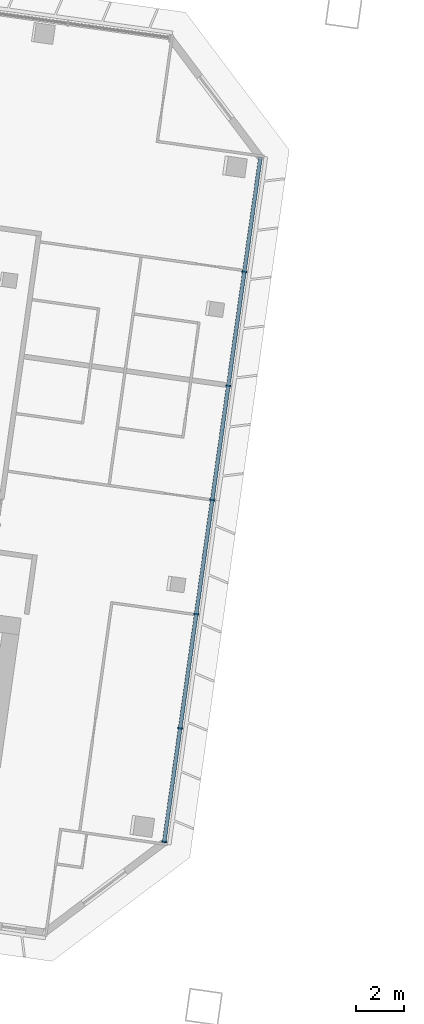
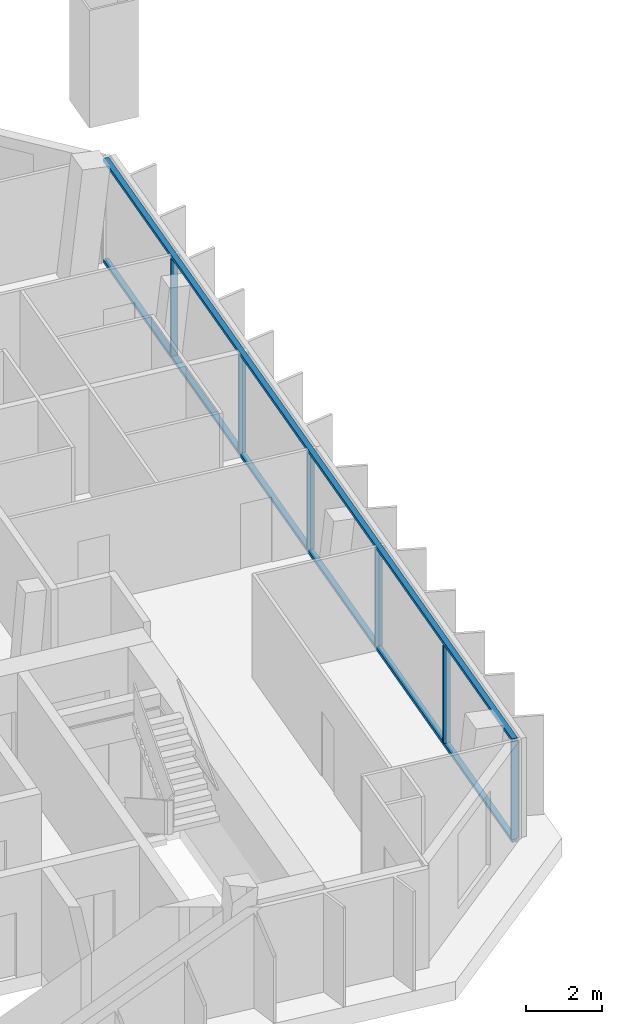
# One storey, part 3 of 23: 8 members, 1 element without a shape of its own.
"""IFC4 building model written with IfcOpenShell, lengths in metres."""

from ifc_helpers import new_model, si_unit, direction, frame, origin, origin_2d, place, context, subcontext, project, spatial, rectangle, extrude, material, material_profile, profile_set, type_object, element, aggregate, save


model = new_model("IFC4")

# Units and contexts
model_context = context("Model", 3, precision=1e-05, world=origin(), true_north=direction((0.0, 1.0)))
body_context = subcontext(model_context, "Body", "Model", "MODEL_VIEW")
ifc_project = project(units=[si_unit("LENGTHUNIT", "METRE"), si_unit("AREAUNIT", "SQUARE_METRE"), si_unit("VOLUMEUNIT", "CUBIC_METRE"), si_unit("PLANEANGLEUNIT", "RADIAN"), si_unit("MASSUNIT", "GRAM", prefix="KILO")], contexts=[model_context])

# Site, building, storey
site_placement = place(None, origin())
site = spatial("IfcSite", under=ifc_project, at=site_placement, CompositionType="ELEMENT")
building_placement = place(site_placement, origin())
building = spatial("IfcBuilding", under=site, at=building_placement, Name="Mirante Cascada Hotel Towers", CompositionType="ELEMENT")
storey_placement = place(building_placement, frame((0.0, 0.0, 199.2)))
storey = spatial("IfcBuildingStorey", under=building, at=storey_placement, Name="L47", CompositionType="ELEMENT", Elevation=199.2)

# Curtain wall, members
ifc_material_1 = material(Name="Aluminium mullion and transom frame with clear laminated glass", Category="aluminium")
curtain_wall_type = type_object("IfcCurtainWallType", Name="End ribbon curtain wall ECW2", PredefinedType="NOTDEFINED", material=ifc_material_1)
curtain_wall_placement = place(storey_placement, origin())
curtain_wall = element("IfcCurtainWall", 1, at=curtain_wall_placement, inside=storey, type_object=curtain_wall_type, Name="Inner end wall T1 L47", PredefinedType="NOTDEFINED")
ifc_material_2 = material(Name="Anodised aluminium extrusion", Category="aluminium")
ifc_material_profile_1 = material_profile(ifc_material_2, rectangle(XDim=0.2, YDim=0.065, at=origin_2d()), Name="ECW2 MULLION 65x200")
ifc_profile_set_1 = profile_set([ifc_material_profile_1], Name="Anodised aluminium extrusion")
member_type_1 = type_object("IfcMemberType", Name="ECW2 mullion 65x200", PredefinedType="MULLION", material=ifc_profile_set_1)
member_1_placement = place(storey_placement, frame((-26.1774, 7.1826, 0.1), z_axis=(0.0, 0.0, 1.0), x_axis=(0.9902681, -0.1391731, 0.0)))
member_1 = element("IfcMember", 2, at=member_1_placement, type_object=member_type_1, Name="ECW2 mullion 2", PredefinedType="MULLION", context=body_context, shape_type="SweptSolid", body=[
    extrude(rectangle(XDim=0.2, YDim=0.065, at=origin_2d()), origin(), (0.0, 0.0, 1.0), 3.15),
])
member_2_placement = place(storey_placement, frame((-26.8472, 2.4168, 0.1), z_axis=(0.0, 0.0, 1.0), x_axis=(0.9902681, -0.1391731, 0.0)))
member_2 = element("IfcMember", 3, at=member_2_placement, type_object=member_type_1, Name="ECW2 mullion 3", PredefinedType="MULLION", context=body_context, shape_type="SweptSolid", body=[
    extrude(rectangle(XDim=0.2, YDim=0.065, at=origin_2d()), origin(), (0.0, 0.0, 1.0), 3.15),
])
member_3_placement = place(storey_placement, frame((-27.517, -2.349, 0.1), z_axis=(0.0, 0.0, 1.0), x_axis=(0.9902681, -0.1391731, 0.0)))
member_3 = element("IfcMember", 4, at=member_3_placement, type_object=member_type_1, Name="ECW2 mullion 4", PredefinedType="MULLION", context=body_context, shape_type="SweptSolid", body=[
    extrude(rectangle(XDim=0.2, YDim=0.065, at=origin_2d()), origin(), (0.0, 0.0, 1.0), 3.15),
])
member_4_placement = place(storey_placement, frame((-28.1868, -7.1147, 0.1), z_axis=(0.0, 0.0, 1.0), x_axis=(0.9902681, -0.1391731, 0.0)))
member_4 = element("IfcMember", 5, at=member_4_placement, type_object=member_type_1, Name="ECW2 mullion 5", PredefinedType="MULLION", context=body_context, shape_type="SweptSolid", body=[
    extrude(rectangle(XDim=0.2, YDim=0.065, at=origin_2d()), origin(), (0.0, 0.0, 1.0), 3.15),
])
member_5_placement = place(storey_placement, frame((-28.8566, -11.8805, 0.1), z_axis=(0.0, 0.0, 1.0), x_axis=(0.9902681, -0.1391731, 0.0)))
member_5 = element("IfcMember", 6, at=member_5_placement, type_object=member_type_1, Name="ECW2 mullion 6", PredefinedType="MULLION", context=body_context, shape_type="SweptSolid", body=[
    extrude(rectangle(XDim=0.2, YDim=0.065, at=origin_2d()), origin(), (0.0, 0.0, 1.0), 3.15),
])
member_6_placement = place(storey_placement, frame((-29.5218, -16.6141, 0.1), z_axis=(0.0, 0.0, 1.0), x_axis=(0.9902681, -0.1391731, 0.0)))
member_6 = element("IfcMember", 7, at=member_6_placement, type_object=member_type_1, Name="ECW2 mullion 7", PredefinedType="MULLION", context=body_context, shape_type="SweptSolid", body=[
    extrude(rectangle(XDim=0.2, YDim=0.065, at=origin_2d()), origin(), (0.0, 0.0, 1.0), 3.15),
])
ifc_material_3 = material(Name="Anodised aluminium extrusion", Category="aluminium")
ifc_material_profile_2 = material_profile(ifc_material_3, rectangle(XDim=0.16, YDim=0.1, at=origin_2d()), Name="ECW2 TRANSOM 100x160")
ifc_profile_set_2 = profile_set([ifc_material_profile_2], Name="Anodised aluminium extrusion")
member_type_2 = type_object("IfcMemberType", Name="ECW2 transom 100x160", PredefinedType="USERDEFINED", material=ifc_profile_set_2)
member_7_placement = place(storey_placement, frame((-25.5076, 11.9484, 0.05), z_axis=(-0.1391757, -0.9902677, 0.0), x_axis=(0.9902677, -0.1391757, 0.0)))
member_7 = element("IfcMember", 8, at=member_7_placement, type_object=member_type_2, Name="ECW2 sill transom", ObjectType="TRANSOM", PredefinedType="USERDEFINED", context=body_context, shape_type="SweptSolid", body=[
    extrude(rectangle(XDim=0.16, YDim=0.1, at=origin_2d()), origin(), (0.0, 0.0, 1.0), 28.8757),
])
member_8_placement = place(storey_placement, frame((-25.5076, 11.9484, 3.3), z_axis=(-0.1391757, -0.9902677, 0.0), x_axis=(0.9902677, -0.1391757, 0.0)))
member_8 = element("IfcMember", 9, at=member_8_placement, type_object=member_type_2, Name="ECW2 head transom", ObjectType="TRANSOM", PredefinedType="USERDEFINED", context=body_context, shape_type="SweptSolid", body=[
    extrude(rectangle(XDim=0.16, YDim=0.1, at=origin_2d()), origin(), (0.0, 0.0, 1.0), 28.8757),
])
aggregate(curtain_wall, [member_7, member_8, member_1, member_2, member_3, member_4, member_5, member_6])

save(model, "model.ifc")
